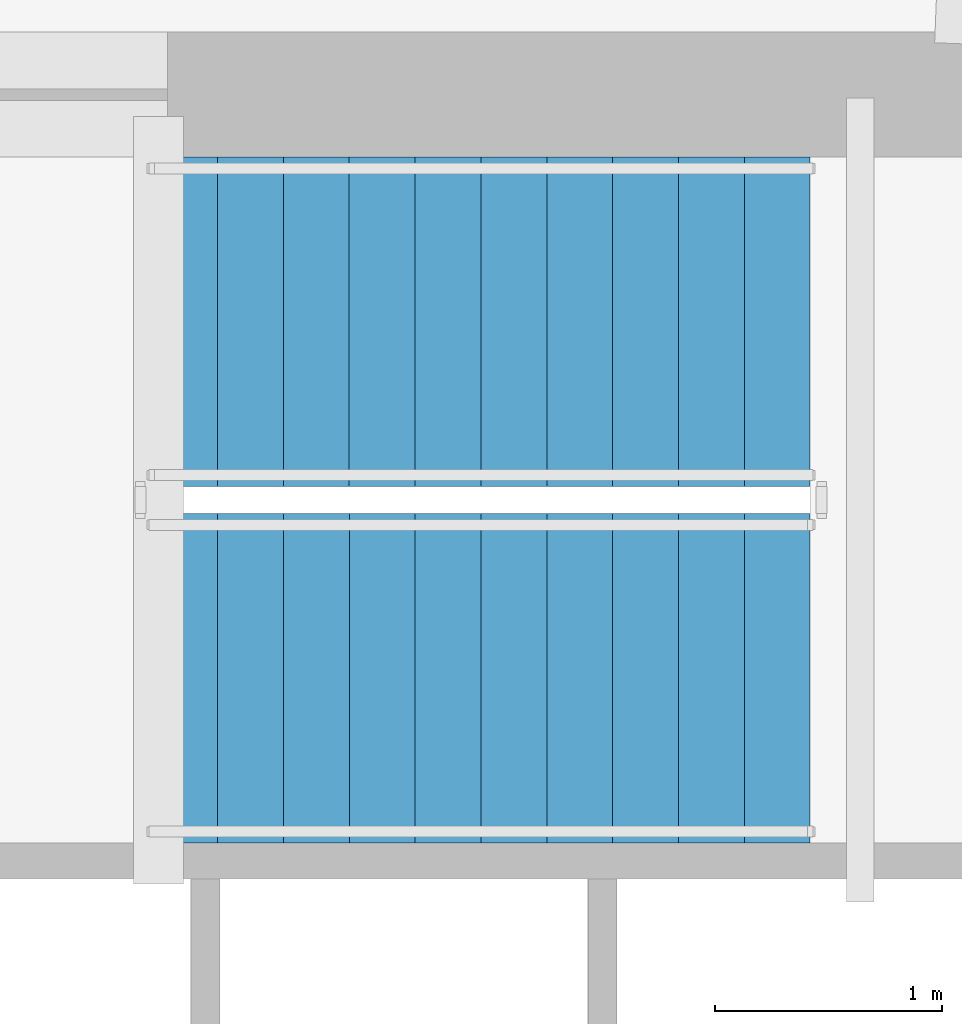
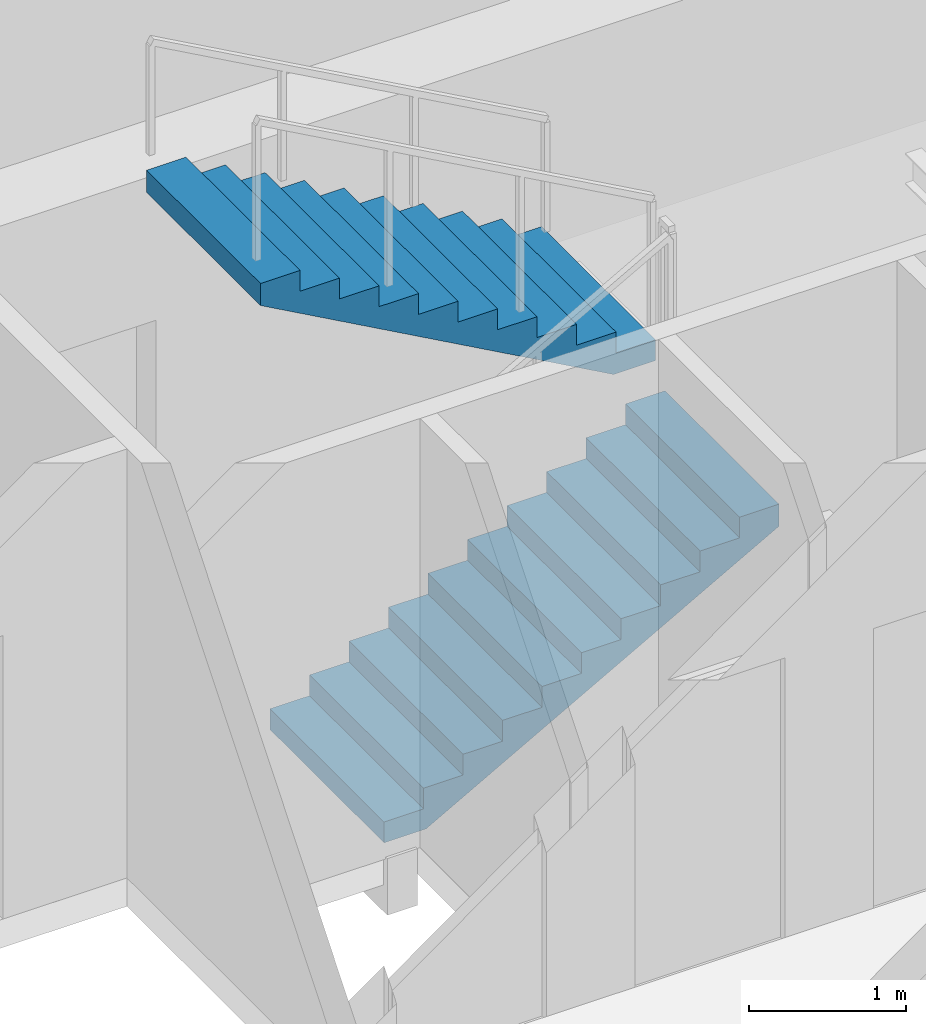
# One storey, part 10 of 13: 2 stair flights, 1 element without a shape of its own.
"""IFC4 building model written with IfcOpenShell, lengths in metres."""

from ifc_helpers import new_model, si_unit, direction, frame, origin, place, context, subcontext, project, spatial, polyline, outline, extrude, material, type_object, element, aggregate, save


model = new_model("IFC4")

# Units and contexts
model_context = context("Model", 3, precision=1e-05, world=origin(), true_north=direction((0.0, 1.0)))
body_context = subcontext(model_context, "Body", "Model", "MODEL_VIEW")
ifc_project = project(units=[si_unit("LENGTHUNIT", "METRE"), si_unit("AREAUNIT", "SQUARE_METRE"), si_unit("VOLUMEUNIT", "CUBIC_METRE"), si_unit("PLANEANGLEUNIT", "RADIAN"), si_unit("MASSUNIT", "GRAM", prefix="KILO")], contexts=[model_context])

# Site, building, storey
site_placement = place(None, origin())
site = spatial("IfcSite", under=ifc_project, at=site_placement, CompositionType="ELEMENT")
building_placement = place(site_placement, origin())
building = spatial("IfcBuilding", under=site, at=building_placement, Name="Olszyna Solenne Hotel", CompositionType="ELEMENT")
storey_placement = place(building_placement, frame((0.0, 0.0, 167.89990234375)))
storey = spatial("IfcBuildingStorey", under=building, at=storey_placement, Name="L44", CompositionType="ELEMENT", Elevation=167.89990234375)

# Stair, stair flights
ifc_material = material(Name="Concrete C40/50", Category="concrete")
stair_type = type_object("IfcStairType", Name="STR-C1", PredefinedType="TWO_QUARTER_WINDING_STAIR", material=ifc_material)
stair_placement = place(storey_placement, origin())
stair = element("IfcStair", 1, at=stair_placement, inside=storey, type_object=stair_type, Name="L44 ST3", PredefinedType="TWO_QUARTER_WINDING_STAIR")
stair_flight_type = type_object("IfcStairFlightType", Name="FLT-C1", PredefinedType="STRAIGHT", material=ifc_material)
stair_flight_1_placement = place(storey_placement, frame((34.72998046875, 31.405029296875, 0.0), z_axis=(0.0, 0.0, 1.0), x_axis=(1.0, 0.0, 0.0)))
stair_flight_1 = element("IfcStairFlight", 2, at=stair_flight_1_placement, type_object=stair_flight_type, Name="ST3 flight 1", NumberOfRisers=11, NumberOfTreads=10, PredefinedType="STRAIGHT", RiserHeight=0.161363636, TreadLength=0.29, context=body_context, shape_type="SweptSolid", body=[
    extrude(outline(polyline([(0.0, 0.0), (0.0, 0.161376953125), (0.2900390625, 0.161376953125), (0.2900390625, 0.32275390625), (0.580078125, 0.32275390625), (0.580078125, 0.484130859375), (0.8701171875, 0.484130859375), (0.8701171875, 0.6455078125), (1.159912109375, 0.6455078125), (1.159912109375, 0.806884765625), (1.449951171875, 0.806884765625), (1.449951171875, 0.96826171875), (1.739990234375, 0.96826171875), (1.739990234375, 1.129638671875), (2.030029296875, 1.129638671875), (2.030029296875, 1.291015625), (2.320068359375, 1.291015625), (2.320068359375, 1.452392578125), (2.610107421875, 1.452392578125), (2.610107421875, 1.613525390625), (2.89990234375, 1.613525390625), (2.89990234375, 1.77490234375), (2.89990234375, 1.442138671875), (0.308349609375, 0.0), (0.0, 0.0)])), frame((0.0, 0.72509765625, 0.0), z_axis=(0.0, -1.0, 0.0), x_axis=(1.0, 0.0, 0.0)), (0.0, 0.0, 1.0), 1.449951171875),
])
stair_flight_2_placement = place(storey_placement, frame((37.6298828125, 32.97509765625, 1.775146484375), z_axis=(0.0, 0.0, 1.0), x_axis=(-1.0, 0.0, 0.0)))
stair_flight_2 = element("IfcStairFlight", 3, at=stair_flight_2_placement, type_object=stair_flight_type, Name="ST3 flight 2", NumberOfRisers=11, NumberOfTreads=10, PredefinedType="STRAIGHT", RiserHeight=0.161363636, TreadLength=0.29, context=body_context, shape_type="SweptSolid", body=[
    extrude(outline(polyline([(0.0, 0.0), (0.0, 0.161376953125), (0.2900390625, 0.161376953125), (0.2900390625, 0.32275390625), (0.580078125, 0.32275390625), (0.580078125, 0.484130859375), (0.8701171875, 0.484130859375), (0.8701171875, 0.6455078125), (1.159912109375, 0.6455078125), (1.159912109375, 0.806884765625), (1.449951171875, 0.806884765625), (1.449951171875, 0.96826171875), (1.739990234375, 0.96826171875), (1.739990234375, 1.129638671875), (2.030029296875, 1.129638671875), (2.030029296875, 1.291015625), (2.320068359375, 1.291015625), (2.320068359375, 1.452392578125), (2.610107421875, 1.452392578125), (2.610107421875, 1.613525390625), (2.89990234375, 1.613525390625), (2.89990234375, 1.77490234375), (2.89990234375, 1.442138671875), (0.308349609375, 0.0), (0.0, 0.0)])), frame((0.0, 0.72509765625, 0.0), z_axis=(0.0, -1.0, 0.0), x_axis=(1.0, 0.0, 0.0)), (0.0, 0.0, 1.0), 1.449951171875),
])
aggregate(stair, [stair_flight_1, stair_flight_2])

save(model, "model.ifc")
